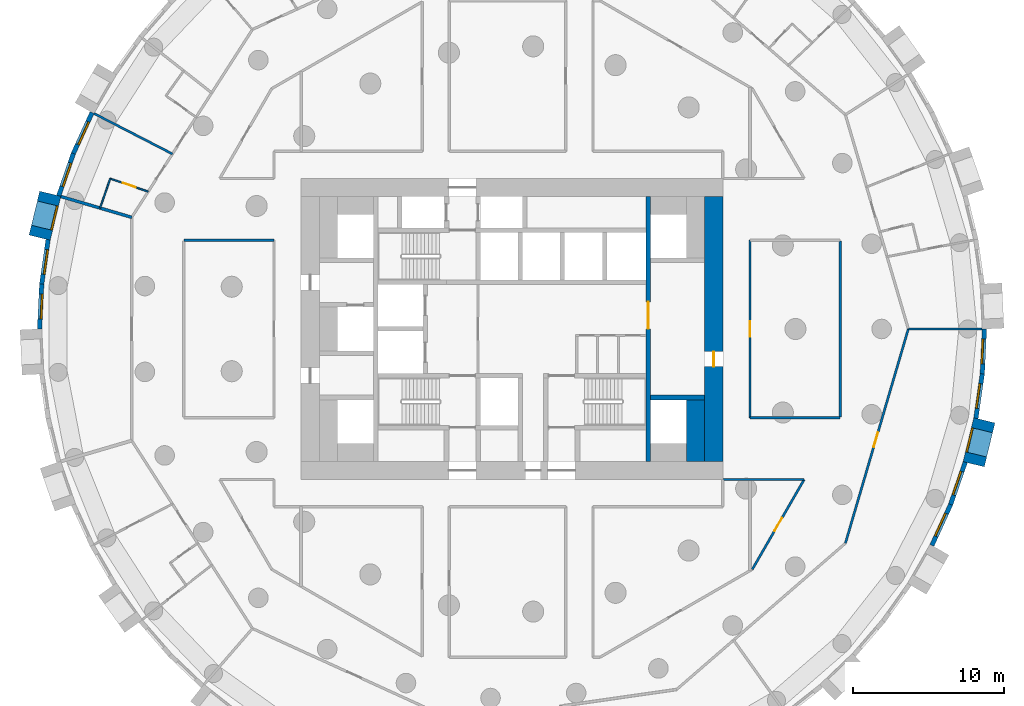
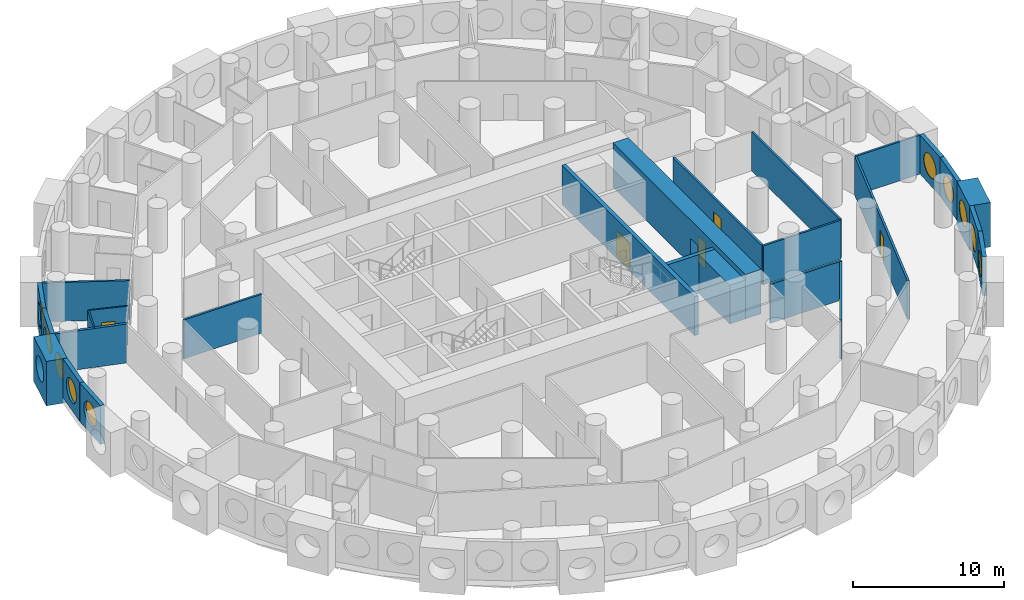
# One storey, part 6 of 12: 26 walls, 10 windows, 6 doors, 16 openings.
"""IFC4 building model written with IfcOpenShell, lengths in metres."""

from ifc_helpers import new_model, si_unit, direction, frame, frame_2d, origin, origin_2d, place, context, subcontext, project, spatial, rectangle, circle, extrude, material, layer, layer_set, type_object, element, fill, save


model = new_model("IFC4")

# Units and contexts
model_context = context("Model", 3, precision=1e-05, world=origin(), true_north=direction((0.0, 1.0)))
body_context = subcontext(model_context, "Body", "Model", "MODEL_VIEW")
ifc_project = project(units=[si_unit("LENGTHUNIT", "METRE"), si_unit("AREAUNIT", "SQUARE_METRE"), si_unit("VOLUMEUNIT", "CUBIC_METRE"), si_unit("PLANEANGLEUNIT", "RADIAN"), si_unit("MASSUNIT", "GRAM", prefix="KILO")], contexts=[model_context])

# Site, building, storey
site_placement = place(None, origin())
site = spatial("IfcSite", under=ifc_project, at=site_placement, CompositionType="ELEMENT")
building_placement = place(site_placement, origin())
building = spatial("IfcBuilding", under=site, at=building_placement, Name="Tracery Tower", CompositionType="ELEMENT")
storey_placement = place(building_placement, frame((0.0, 0.0, 89.39990234375)))
storey = spatial("IfcBuildingStorey", under=building, at=storey_placement, Name="L22", CompositionType="ELEMENT", Elevation=89.39990234375)

# Wall
ifc_material_1 = material(Name="Concrete C60/75", Category="concrete")
ifc_layer_1 = layer(ifc_material_1, 1.199951171875)
ifc_layer_set_1 = layer_set([ifc_layer_1], Name="Core strip wall 1200 C60")
wall_type_1 = type_object("IfcWallType", Name="Core strip wall 1200 C60", PredefinedType="SOLIDWALL", material=ifc_layer_set_1)
wall_1_placement = place(storey_placement, frame((12.199951171875, -8.800048828125, 0.0), z_axis=(0.0, 0.0, 1.0), x_axis=(0.0, 1.0, 0.0)))
element("IfcWall", 1, at=wall_1_placement, inside=storey, type_object=wall_type_1, Name="L22 wing strip +1 -9.4", PredefinedType="SOLIDWALL", context=body_context, shape_type="SweptSolid", body=[
    extrude(rectangle(XDim=4.10009765625, YDim=1.199951171875, at=frame_2d((2.050048828125, 0.0))), origin(), (0.0, 0.0, 1.0), 3.150146484375),
])

# Wall, opening, door
ifc_material_2 = material(Name="Concrete C60/75", Category="concrete")
ifc_layer_2 = layer(ifc_material_2, 1.199951171875)
ifc_layer_set_2 = layer_set([ifc_layer_2], Name="Core wall 1200 C60")
wall_type_2 = type_object("IfcWallType", Name="Core wall 1200 C60", PredefinedType="SOLIDWALL", material=ifc_layer_set_2)
wall_2_placement = place(storey_placement, frame((13.39990234375, -8.800048828125, 0.0), z_axis=(0.0, 0.0, 1.0), x_axis=(0.0, 1.0, 0.0)))
wall_2 = element("IfcWall", 2, at=wall_2_placement, inside=storey, type_object=wall_type_2, Name="L22 outer E", PredefinedType="SOLIDWALL", context=body_context, shape_type="SweptSolid", body=[
    extrude(rectangle(XDim=17.60009765625, YDim=1.199951171875, at=frame_2d((8.800048828125, 0.0))), origin(), (0.0, 0.0, 1.0), 3.60009765625),
])
opening_1_placement = place(wall_2_placement, frame((6.300048828125, 0.0, 0.0)))
opening_1 = element("IfcOpeningElement", 3, at=opening_1_placement, cuts=wall_2, Name="Opening KD18", PredefinedType="OPENING", context=body_context, shape_type="SweptSolid", body=[
    extrude(rectangle(XDim=1.0, YDim=2.10009765625, at=frame_2d((0.5, 1.050048828125))), frame((0.0, 0.60009765625, 0.0), z_axis=(0.0, -1.0, 0.0), x_axis=(1.0, 0.0, 0.0)), (0.0, 0.0, 1.0), 1.199951171875),
])
ifc_material_3 = material(Name="Steel fire door", Category="steel")
door_type_1 = type_object("IfcDoorType", Name="Core exit door 1000", OperationType="NOTDEFINED", PredefinedType="DOOR", material=ifc_material_3)
door_1_placement = place(opening_1_placement, origin())
door_1 = element("IfcDoor", 4, at=door_1_placement, inside=storey, type_object=door_type_1, Name="Core exit door", OperationType="DOUBLE_DOOR_SINGLE_SWING", OverallHeight=2.10009765625, OverallWidth=1.0, PredefinedType="DOOR", context=body_context, shape_type="SweptSolid", body=[
    extrude(rectangle(XDim=1.0, YDim=2.10009765625, at=frame_2d((0.5, 1.050048828125))), frame((0.0, 0.02490234375, 0.0), z_axis=(0.0, -1.0, 0.0), x_axis=(1.0, 0.0, 0.0)), (0.0, 0.0, 1.0), 0.050048828125),
])
fill(opening_1, door_1)

# Wall, opening, window
ifc_material_4 = material(Name="Precast concrete C50/60", Category="concrete")
ifc_layer_3 = layer(ifc_material_4, 1.449951171875)
ifc_layer_set_3 = layer_set([ifc_layer_3], Name="Deep-set bay unit 3000 x 3600, slab edge 450")
wall_type_3 = type_object("IfcWallType", Name="Deep-set bay unit 3000 x 3600, slab edge 450", PredefinedType="ELEMENTEDWALL", material=ifc_layer_set_3)
wall_3_placement = place(storey_placement, frame((-30.66064453125, 8.981689453125, -0.449951171875), z_axis=(0.0, 0.0, 1.0), x_axis=(-0.235751415068, -0.971813392732, 0.0)))
wall_3 = element("IfcWall", 5, at=wall_3_placement, inside=storey, type_object=wall_type_3, Name="Deep-set bay unit 31 at L22", PredefinedType="ELEMENTEDWALL", context=body_context, shape_type="SweptSolid", body=[
    extrude(rectangle(XDim=3.0, YDim=1.449951171875, at=frame_2d((1.5, 0.0))), origin(), (0.0, 0.0, 1.0), 3.60009765625),
])
opening_2_placement = place(wall_3_placement, frame((1.5, 0.0, 2.0)))
opening_2 = element("IfcOpeningElement", 6, at=opening_2_placement, cuts=wall_3, Name="Opening WN1", PredefinedType="OPENING", context=body_context, shape_type="SweptSolid", body=[
    extrude(circle(Radius=0.9000244140625, at=origin_2d()), frame((0.0, 0.73486328125, 0.0), z_axis=(0.0, -1.0, 0.0), x_axis=(1.0, 0.0, 0.0)), (0.0, 0.0, 1.0), 1.469970703125),
])
ifc_material_5 = material(Name="Aluminium frame with tinted double glazing", Category="aluminium")
window_type = type_object("IfcWindowType", Name="Round window 1800", PartitioningType="SINGLE_PANEL", PredefinedType="WINDOW", material=ifc_material_5)
window_1_placement = place(opening_2_placement, origin())
window_1 = element("IfcWindow", 7, at=window_1_placement, inside=storey, type_object=window_type, Name="Round window 31 at L22", OverallHeight=1.800048828125, OverallWidth=1.800048828125, PartitioningType="SINGLE_PANEL", PredefinedType="WINDOW", context=body_context, shape_type="SweptSolid", body=[
    extrude(circle(Radius=0.9000244140625, at=origin_2d()), frame((0.0, 0.69482421875, 0.0), z_axis=(0.0, -1.0, 0.0), x_axis=(1.0, 0.0, 0.0)), (0.0, 0.0, 1.0), 0.10009765625),
])
fill(opening_2, window_1)

wall_4_placement = place(storey_placement, frame((30.66064453125, -8.981689453125, -0.449951171875), z_axis=(0.0, 0.0, 1.0), x_axis=(0.235751415068, 0.971813392732, 0.0)))
wall_4 = element("IfcWall", 8, at=wall_4_placement, inside=storey, type_object=wall_type_3, Name="Deep-set bay unit 64 at L22", PredefinedType="ELEMENTEDWALL", context=body_context, shape_type="SweptSolid", body=[
    extrude(rectangle(XDim=3.0, YDim=1.449951171875, at=frame_2d((1.5, 0.0))), origin(), (0.0, 0.0, 1.0), 3.60009765625),
])
opening_3_placement = place(wall_4_placement, frame((1.5, 0.0, 2.0)))
opening_3 = element("IfcOpeningElement", 9, at=opening_3_placement, cuts=wall_4, Name="Opening WN1", PredefinedType="OPENING", context=body_context, shape_type="SweptSolid", body=[
    extrude(circle(Radius=0.9000244140625, at=origin_2d()), frame((0.0, 0.73486328125, 0.0), z_axis=(0.0, -1.0, 0.0), x_axis=(1.0, 0.0, 0.0)), (0.0, 0.0, 1.0), 1.469970703125),
])
window_2_placement = place(opening_3_placement, origin())
window_2 = element("IfcWindow", 10, at=window_2_placement, inside=storey, type_object=window_type, Name="Round window 64 at L22", OverallHeight=1.800048828125, OverallWidth=1.800048828125, PartitioningType="SINGLE_PANEL", PredefinedType="WINDOW", context=body_context, shape_type="SweptSolid", body=[
    extrude(circle(Radius=0.9000244140625, at=origin_2d()), frame((0.0, 0.69482421875, 0.0), z_axis=(0.0, -1.0, 0.0), x_axis=(1.0, 0.0, 0.0)), (0.0, 0.0, 1.0), 0.10009765625),
])
fill(opening_3, window_2)

ifc_material_6 = material(Name="Precast concrete C50/60", Category="concrete")
ifc_layer_4 = layer(ifc_material_6, 0.300048828125)
ifc_layer_set_4 = layer_set([ifc_layer_4], Name="Facade panel 3000 x 3150")
wall_type_4 = type_object("IfcWallType", Name="Facade panel 3000 x 3150", PredefinedType="SOLIDWALL", material=ifc_layer_set_4)
wall_5_placement = place(storey_placement, frame((-27.88916015625, 14.37109375, 0.0), z_axis=(0.0, 0.0, 1.0), x_axis=(-0.415407317162, -0.909635509888, 0.0)))
wall_5 = element("IfcWall", 11, at=wall_5_placement, inside=storey, type_object=wall_type_4, Name="Facade panel 29 at L22", PredefinedType="SOLIDWALL", context=body_context, shape_type="SweptSolid", body=[
    extrude(rectangle(XDim=2.979736328125, YDim=0.300048828125, at=frame_2d((1.48974609375, 0.0))), origin(), (0.0, 0.0, 1.0), 3.150146484375),
])
opening_4_placement = place(wall_5_placement, frame((1.48974609375, 0.0, 1.5498046875)))
opening_4 = element("IfcOpeningElement", 12, at=opening_4_placement, cuts=wall_5, Name="Opening WN1", PredefinedType="OPENING", context=body_context, shape_type="SweptSolid", body=[
    extrude(circle(Radius=0.9000244140625, at=origin_2d()), frame((0.0, 0.159912109375, 0.0), z_axis=(0.0, -1.0, 0.0), x_axis=(1.0, 0.0, 0.0)), (0.0, 0.0, 1.0), 0.320068359375),
])
window_3_placement = place(opening_4_placement, origin())
window_3 = element("IfcWindow", 13, at=window_3_placement, inside=storey, type_object=window_type, Name="Round window 29 at L22", OverallHeight=1.800048828125, OverallWidth=1.800048828125, PartitioningType="SINGLE_PANEL", PredefinedType="WINDOW", context=body_context, shape_type="SweptSolid", body=[
    extrude(circle(Radius=0.9000244140625, at=origin_2d()), frame((0.0, 0.1201171875, 0.0), z_axis=(0.0, -1.0, 0.0), x_axis=(1.0, 0.0, 0.0)), (0.0, 0.0, 1.0), 0.10009765625),
])
fill(opening_4, window_3)

wall_6_placement = place(storey_placement, frame((-29.126953125, 11.66064453125, 0.0), z_axis=(0.0, 0.0, 1.0), x_axis=(-0.327096492592, -0.944990944154, 0.0)))
wall_6 = element("IfcWall", 14, at=wall_6_placement, inside=storey, type_object=wall_type_4, Name="Facade panel 30 at L22", PredefinedType="SOLIDWALL", context=body_context, shape_type="SweptSolid", body=[
    extrude(rectangle(XDim=2.9794921875, YDim=0.300048828125, at=frame_2d((1.48974609375, 0.0))), origin(), (0.0, 0.0, 1.0), 3.150146484375),
])
opening_5_placement = place(wall_6_placement, frame((1.48974609375, 0.0, 1.5498046875)))
opening_5 = element("IfcOpeningElement", 15, at=opening_5_placement, cuts=wall_6, Name="Opening WN1", PredefinedType="OPENING", context=body_context, shape_type="SweptSolid", body=[
    extrude(circle(Radius=0.9000244140625, at=origin_2d()), frame((0.0, 0.159912109375, 0.0), z_axis=(0.0, -1.0, 0.0), x_axis=(1.0, 0.0, 0.0)), (0.0, 0.0, 1.0), 0.320068359375),
])
window_4_placement = place(opening_5_placement, origin())
window_4 = element("IfcWindow", 16, at=window_4_placement, inside=storey, type_object=window_type, Name="Round window 30 at L22", OverallHeight=1.800048828125, OverallWidth=1.800048828125, PartitioningType="SINGLE_PANEL", PredefinedType="WINDOW", context=body_context, shape_type="SweptSolid", body=[
    extrude(circle(Radius=0.9000244140625, at=origin_2d()), frame((0.0, 0.1201171875, 0.0), z_axis=(0.0, -1.0, 0.0), x_axis=(1.0, 0.0, 0.0)), (0.0, 0.0, 1.0), 0.10009765625),
])
fill(opening_5, window_4)

wall_7_placement = place(storey_placement, frame((-30.808349609375, 5.931640625, 0.0), z_axis=(0.0, 0.0, 1.0), x_axis=(-0.142327539111, -0.989819615693, 0.0)))
wall_7 = element("IfcWall", 17, at=wall_7_placement, inside=storey, type_object=wall_type_4, Name="Facade panel 32 at L22", PredefinedType="SOLIDWALL", context=body_context, shape_type="SweptSolid", body=[
    extrude(rectangle(XDim=2.9794921875, YDim=0.300048828125, at=frame_2d((1.48974609375, 0.0))), origin(), (0.0, 0.0, 1.0), 3.150146484375),
])
opening_6_placement = place(wall_7_placement, frame((1.48974609375, 0.0, 1.5498046875)))
opening_6 = element("IfcOpeningElement", 18, at=opening_6_placement, cuts=wall_7, Name="Opening WN1", PredefinedType="OPENING", context=body_context, shape_type="SweptSolid", body=[
    extrude(circle(Radius=0.9000244140625, at=origin_2d()), frame((0.0, 0.159912109375, 0.0), z_axis=(0.0, -1.0, 0.0), x_axis=(1.0, 0.0, 0.0)), (0.0, 0.0, 1.0), 0.320068359375),
])
window_5_placement = place(opening_6_placement, origin())
window_5 = element("IfcWindow", 19, at=window_5_placement, inside=storey, type_object=window_type, Name="Round window 32 at L22", OverallHeight=1.800048828125, OverallWidth=1.800048828125, PartitioningType="SINGLE_PANEL", PredefinedType="WINDOW", context=body_context, shape_type="SweptSolid", body=[
    extrude(circle(Radius=0.9000244140625, at=origin_2d()), frame((0.0, 0.1201171875, 0.0), z_axis=(0.0, -1.0, 0.0), x_axis=(1.0, 0.0, 0.0)), (0.0, 0.0, 1.0), 0.10009765625),
])
fill(opening_6, window_5)

wall_8_placement = place(storey_placement, frame((-31.232421875, 2.982421875, 0.0), z_axis=(0.0, 0.0, 1.0), x_axis=(-0.047522328113, -0.998870175914, 0.0)))
wall_8 = element("IfcWall", 20, at=wall_8_placement, inside=storey, type_object=wall_type_4, Name="Facade panel 33 at L22", PredefinedType="SOLIDWALL", context=body_context, shape_type="SweptSolid", body=[
    extrude(rectangle(XDim=2.979736328125, YDim=0.300048828125, at=frame_2d((1.48974609375, 0.0))), origin(), (0.0, 0.0, 1.0), 3.150146484375),
])
opening_7_placement = place(wall_8_placement, frame((1.48974609375, 0.0, 1.5498046875)))
opening_7 = element("IfcOpeningElement", 21, at=opening_7_placement, cuts=wall_8, Name="Opening WN1", PredefinedType="OPENING", context=body_context, shape_type="SweptSolid", body=[
    extrude(circle(Radius=0.9000244140625, at=origin_2d()), frame((0.0, 0.159912109375, 0.0), z_axis=(0.0, -1.0, 0.0), x_axis=(1.0, 0.0, 0.0)), (0.0, 0.0, 1.0), 0.320068359375),
])
window_6_placement = place(opening_7_placement, origin())
window_6 = element("IfcWindow", 22, at=window_6_placement, inside=storey, type_object=window_type, Name="Round window 33 at L22", OverallHeight=1.800048828125, OverallWidth=1.800048828125, PartitioningType="SINGLE_PANEL", PredefinedType="WINDOW", context=body_context, shape_type="SweptSolid", body=[
    extrude(circle(Radius=0.9000244140625, at=origin_2d()), frame((0.0, 0.1201171875, 0.0), z_axis=(0.0, -1.0, 0.0), x_axis=(1.0, 0.0, 0.0)), (0.0, 0.0, 1.0), 0.10009765625),
])
fill(opening_7, window_6)

wall_9_placement = place(storey_placement, frame((27.88916015625, -14.37109375, 0.0), z_axis=(0.0, 0.0, 1.0), x_axis=(0.415407317162, 0.909635509888, 0.0)))
wall_9 = element("IfcWall", 23, at=wall_9_placement, inside=storey, type_object=wall_type_4, Name="Facade panel 62 at L22", PredefinedType="SOLIDWALL", context=body_context, shape_type="SweptSolid", body=[
    extrude(rectangle(XDim=2.979736328125, YDim=0.300048828125, at=frame_2d((1.48974609375, 0.0))), origin(), (0.0, 0.0, 1.0), 3.150146484375),
])
opening_8_placement = place(wall_9_placement, frame((1.48974609375, 0.0, 1.5498046875)))
opening_8 = element("IfcOpeningElement", 24, at=opening_8_placement, cuts=wall_9, Name="Opening WN1", PredefinedType="OPENING", context=body_context, shape_type="SweptSolid", body=[
    extrude(circle(Radius=0.9000244140625, at=origin_2d()), frame((0.0, 0.159912109375, 0.0), z_axis=(0.0, -1.0, 0.0), x_axis=(1.0, 0.0, 0.0)), (0.0, 0.0, 1.0), 0.320068359375),
])
window_7_placement = place(opening_8_placement, origin())
window_7 = element("IfcWindow", 25, at=window_7_placement, inside=storey, type_object=window_type, Name="Round window 62 at L22", OverallHeight=1.800048828125, OverallWidth=1.800048828125, PartitioningType="SINGLE_PANEL", PredefinedType="WINDOW", context=body_context, shape_type="SweptSolid", body=[
    extrude(circle(Radius=0.9000244140625, at=origin_2d()), frame((0.0, 0.1201171875, 0.0), z_axis=(0.0, -1.0, 0.0), x_axis=(1.0, 0.0, 0.0)), (0.0, 0.0, 1.0), 0.10009765625),
])
fill(opening_8, window_7)

wall_10_placement = place(storey_placement, frame((29.126953125, -11.66064453125, 0.0), z_axis=(0.0, 0.0, 1.0), x_axis=(0.327096492592, 0.944990944154, 0.0)))
wall_10 = element("IfcWall", 26, at=wall_10_placement, inside=storey, type_object=wall_type_4, Name="Facade panel 63 at L22", PredefinedType="SOLIDWALL", context=body_context, shape_type="SweptSolid", body=[
    extrude(rectangle(XDim=2.9794921875, YDim=0.300048828125, at=frame_2d((1.48974609375, 0.0))), origin(), (0.0, 0.0, 1.0), 3.150146484375),
])
opening_9_placement = place(wall_10_placement, frame((1.48974609375, 0.0, 1.5498046875)))
opening_9 = element("IfcOpeningElement", 27, at=opening_9_placement, cuts=wall_10, Name="Opening WN1", PredefinedType="OPENING", context=body_context, shape_type="SweptSolid", body=[
    extrude(circle(Radius=0.9000244140625, at=origin_2d()), frame((0.0, 0.159912109375, 0.0), z_axis=(0.0, -1.0, 0.0), x_axis=(1.0, 0.0, 0.0)), (0.0, 0.0, 1.0), 0.320068359375),
])
window_8_placement = place(opening_9_placement, origin())
window_8 = element("IfcWindow", 28, at=window_8_placement, inside=storey, type_object=window_type, Name="Round window 63 at L22", OverallHeight=1.800048828125, OverallWidth=1.800048828125, PartitioningType="SINGLE_PANEL", PredefinedType="WINDOW", context=body_context, shape_type="SweptSolid", body=[
    extrude(circle(Radius=0.9000244140625, at=origin_2d()), frame((0.0, 0.1201171875, 0.0), z_axis=(0.0, -1.0, 0.0), x_axis=(1.0, 0.0, 0.0)), (0.0, 0.0, 1.0), 0.10009765625),
])
fill(opening_9, window_8)

wall_11_placement = place(storey_placement, frame((30.808349609375, -5.931640625, 0.0), z_axis=(0.0, 0.0, 1.0), x_axis=(0.142327539111, 0.989819615693, 0.0)))
wall_11 = element("IfcWall", 29, at=wall_11_placement, inside=storey, type_object=wall_type_4, Name="Facade panel 65 at L22", PredefinedType="SOLIDWALL", context=body_context, shape_type="SweptSolid", body=[
    extrude(rectangle(XDim=2.9794921875, YDim=0.300048828125, at=frame_2d((1.48974609375, 0.0))), origin(), (0.0, 0.0, 1.0), 3.150146484375),
])
opening_10_placement = place(wall_11_placement, frame((1.48974609375, 0.0, 1.5498046875)))
opening_10 = element("IfcOpeningElement", 30, at=opening_10_placement, cuts=wall_11, Name="Opening WN1", PredefinedType="OPENING", context=body_context, shape_type="SweptSolid", body=[
    extrude(circle(Radius=0.9000244140625, at=origin_2d()), frame((0.0, 0.159912109375, 0.0), z_axis=(0.0, -1.0, 0.0), x_axis=(1.0, 0.0, 0.0)), (0.0, 0.0, 1.0), 0.320068359375),
])
window_9_placement = place(opening_10_placement, origin())
window_9 = element("IfcWindow", 31, at=window_9_placement, inside=storey, type_object=window_type, Name="Round window 65 at L22", OverallHeight=1.800048828125, OverallWidth=1.800048828125, PartitioningType="SINGLE_PANEL", PredefinedType="WINDOW", context=body_context, shape_type="SweptSolid", body=[
    extrude(circle(Radius=0.9000244140625, at=origin_2d()), frame((0.0, 0.1201171875, 0.0), z_axis=(0.0, -1.0, 0.0), x_axis=(1.0, 0.0, 0.0)), (0.0, 0.0, 1.0), 0.10009765625),
])
fill(opening_10, window_9)

wall_12_placement = place(storey_placement, frame((31.232421875, -2.982421875, 0.0), z_axis=(0.0, 0.0, 1.0), x_axis=(0.047522328113, 0.998870175914, 0.0)))
wall_12 = element("IfcWall", 32, at=wall_12_placement, inside=storey, type_object=wall_type_4, Name="Facade panel 66 at L22", PredefinedType="SOLIDWALL", context=body_context, shape_type="SweptSolid", body=[
    extrude(rectangle(XDim=2.979736328125, YDim=0.300048828125, at=frame_2d((1.48974609375, 0.0))), origin(), (0.0, 0.0, 1.0), 3.150146484375),
])
opening_11_placement = place(wall_12_placement, frame((1.48974609375, 0.0, 1.5498046875)))
opening_11 = element("IfcOpeningElement", 33, at=opening_11_placement, cuts=wall_12, Name="Opening WN1", PredefinedType="OPENING", context=body_context, shape_type="SweptSolid", body=[
    extrude(circle(Radius=0.9000244140625, at=origin_2d()), frame((0.0, 0.159912109375, 0.0), z_axis=(0.0, -1.0, 0.0), x_axis=(1.0, 0.0, 0.0)), (0.0, 0.0, 1.0), 0.320068359375),
])
window_10_placement = place(opening_11_placement, origin())
window_10 = element("IfcWindow", 34, at=window_10_placement, inside=storey, type_object=window_type, Name="Round window 66 at L22", OverallHeight=1.800048828125, OverallWidth=1.800048828125, PartitioningType="SINGLE_PANEL", PredefinedType="WINDOW", context=body_context, shape_type="SweptSolid", body=[
    extrude(circle(Radius=0.9000244140625, at=origin_2d()), frame((0.0, 0.1201171875, 0.0), z_axis=(0.0, -1.0, 0.0), x_axis=(1.0, 0.0, 0.0)), (0.0, 0.0, 1.0), 0.10009765625),
])
fill(opening_11, window_10)

# Wall, opening, door
ifc_material_7 = material(Name="Plasterboard on steel studs", Category="steel")
ifc_layer_5 = layer(ifc_material_7, 0.10009765625)
ifc_layer_set_5 = layer_set([ifc_layer_5], Name="Partition 100 wet wall")
wall_type_5 = type_object("IfcWallType", Name="Partition 100 wet wall", PredefinedType="PARTITIONING", material=ifc_layer_set_5)
wall_13_placement = place(storey_placement, frame((-26.678955078125, 9.989013671875, 0.0), z_axis=(0.0, 0.0, 1.0), x_axis=(0.945014370431, -0.327028805578, 0.0)))
wall_13 = element("IfcWall", 35, at=wall_13_placement, inside=storey, type_object=wall_type_5, Name="Wet wall RA6-088", PredefinedType="PARTITIONING", context=body_context, shape_type="SweptSolid", body=[
    extrude(rectangle(XDim=2.666748046875, YDim=0.10009765625, at=frame_2d((1.33349609375, 0.0))), origin(), (0.0, 0.0, 1.0), 3.150146484375),
])
opening_12_placement = place(wall_13_placement, frame((0.883544921875, 0.0, 0.0)))
opening_12 = element("IfcOpeningElement", 36, at=opening_12_placement, cuts=wall_13, Name="Opening RA6-33", PredefinedType="OPENING", context=body_context, shape_type="SweptSolid", body=[
    extrude(rectangle(XDim=0.89990234375, YDim=2.0400390625, at=frame_2d((0.449951171875, 1.02001953125))), frame((0.0, 0.050048828125, 0.0), z_axis=(0.0, -1.0, 0.0), x_axis=(1.0, 0.0, 0.0)), (0.0, 0.0, 1.0), 0.10009765625),
])
ifc_material_8 = material(Name="Timber door leaf", Category="wood")
door_type_2 = type_object("IfcDoorType", Name="Door en-suite 900", OperationType="NOTDEFINED", PredefinedType="DOOR", material=ifc_material_8)
door_2_placement = place(opening_12_placement, origin())
door_2 = element("IfcDoor", 37, at=door_2_placement, inside=storey, type_object=door_type_2, Name="En-suite door RA6-33", OperationType="SINGLE_SWING_LEFT", OverallHeight=2.0400390625, OverallWidth=0.89990234375, PredefinedType="DOOR", context=body_context, shape_type="SweptSolid", body=[
    extrude(rectangle(XDim=0.89990234375, YDim=2.0400390625, at=frame_2d((0.449951171875, 1.02001953125))), frame((0.0, 0.02490234375, 0.0), z_axis=(0.0, -1.0, 0.0), x_axis=(1.0, 0.0, 0.0)), (0.0, 0.0, 1.0), 0.050048828125),
])
fill(opening_12, door_2)

# Walls
wall_14_placement = place(storey_placement, frame((-27.35595703125, 8.031982421875, 0.0), z_axis=(0.0, 0.0, 1.0), x_axis=(0.326924291943, 0.945050531632, 0.0)))
element("IfcWall", 38, at=wall_14_placement, inside=storey, type_object=wall_type_5, Name="Wet wall RA6-089", PredefinedType="PARTITIONING", context=body_context, shape_type="SweptSolid", body=[
    extrude(rectangle(XDim=2.07080078125, YDim=0.10009765625, at=frame_2d((1.035400390625, 0.0))), origin(), (0.0, 0.0, 1.0), 3.150146484375),
])
ifc_material_9 = material(Name="Plasterboard on steel studs", Category="steel")
ifc_layer_6 = layer(ifc_material_9, 0.14990234375)
ifc_layer_set_6 = layer_set([ifc_layer_6], Name="Partition 150 acoustic unit wall")
wall_type_6 = type_object("IfcWallType", Name="Partition 150 acoustic unit wall", PredefinedType="PARTITIONING", material=ifc_layer_set_6)
wall_15_placement = place(storey_placement, frame((26.319091796875, 0.0, 0.0), z_axis=(0.0, 0.0, 1.0), x_axis=(1.0, 0.0, 0.0)))
element("IfcWall", 39, at=wall_15_placement, inside=storey, type_object=wall_type_6, Name="Unit wall RA6-063", PredefinedType="PARTITIONING", context=body_context, shape_type="SweptSolid", body=[
    extrude(rectangle(XDim=4.905029296875, YDim=0.14990234375, at=frame_2d((2.45263671875, 0.0))), origin(), (0.0, 0.0, 1.0), 3.150146484375),
])
wall_16_placement = place(storey_placement, frame((-27.7529296875, 14.30810546875, 0.0), z_axis=(0.0, 0.0, 1.0), x_axis=(0.88877955153, -0.45833493079, 0.0)))
element("IfcWall", 40, at=wall_16_placement, inside=storey, type_object=wall_type_6, Name="Unit wall RA6-087", PredefinedType="PARTITIONING", context=body_context, shape_type="SweptSolid", body=[
    extrude(rectangle(XDim=5.856201171875, YDim=0.14990234375, at=frame_2d((2.92822265625, 0.0))), origin(), (0.0, 0.0, 1.0), 3.150146484375),
])
ifc_material_10 = material(Name="Plasterboard on steel studs", Category="steel")
ifc_layer_7 = layer(ifc_material_10, 0.14990234375)
ifc_layer_set_7 = layer_set([ifc_layer_7], Name="Partition 150 corridor wall")
wall_type_7 = type_object("IfcWallType", Name="Partition 150 corridor wall", PredefinedType="PARTITIONING", material=ifc_layer_set_7)
wall_17_placement = place(storey_placement, frame((14.0, -10.0, 0.0), z_axis=(0.0, 0.0, 1.0), x_axis=(1.0, 0.0, 0.0)))
element("IfcWall", 41, at=wall_17_placement, inside=storey, type_object=wall_type_7, Name="Corridor wall RA6-012", PredefinedType="PARTITIONING", context=body_context, shape_type="SweptSolid", body=[
    extrude(rectangle(XDim=5.40087890625, YDim=0.14990234375, at=frame_2d((2.700439453125, 0.0))), origin(), (0.0, 0.0, 1.0), 3.150146484375),
])

# Wall, opening, door
wall_18_placement = place(storey_placement, frame((15.800048828125, -5.904052734375, 0.0), z_axis=(0.0, 0.0, 1.0), x_axis=(0.0, 1.0, 0.0)))
wall_18 = element("IfcWall", 42, at=wall_18_placement, inside=storey, type_object=wall_type_7, Name="Corridor wall RA6-013", PredefinedType="PARTITIONING", context=body_context, shape_type="SweptSolid", body=[
    extrude(rectangle(XDim=11.80810546875, YDim=0.14990234375, at=frame_2d((5.904052734375, 0.0))), origin(), (0.0, 0.0, 1.0), 3.150146484375),
])
opening_13_placement = place(wall_18_placement, frame((5.404052734375, 0.0, 0.0)))
opening_13 = element("IfcOpeningElement", 43, at=opening_13_placement, cuts=wall_18, Name="Opening RA6-07", PredefinedType="OPENING", context=body_context, shape_type="SweptSolid", body=[
    extrude(rectangle(XDim=1.0, YDim=2.0400390625, at=frame_2d((0.5, 1.02001953125))), frame((0.0, 0.074951171875, 0.0), z_axis=(0.0, -1.0, 0.0), x_axis=(1.0, 0.0, 0.0)), (0.0, 0.0, 1.0), 0.14990234375),
])
ifc_material_11 = material(Name="Timber door leaf", Category="wood")
door_type_3 = type_object("IfcDoorType", Name="Door communal room 1000", OperationType="NOTDEFINED", PredefinedType="DOOR", material=ifc_material_11)
door_3_placement = place(opening_13_placement, origin())
door_3 = element("IfcDoor", 44, at=door_3_placement, inside=storey, type_object=door_type_3, Name="Communal room door RA6-07", OperationType="SINGLE_SWING_RIGHT", OverallHeight=2.0400390625, OverallWidth=1.0, PredefinedType="DOOR", context=body_context, shape_type="SweptSolid", body=[
    extrude(rectangle(XDim=1.0, YDim=2.0400390625, at=frame_2d((0.5, 1.02001953125))), frame((0.0, 0.02490234375, 0.0), z_axis=(0.0, -1.0, 0.0), x_axis=(1.0, 0.0, 0.0)), (0.0, 0.0, 1.0), 0.050048828125),
])
fill(opening_13, door_3)

# Walls
wall_19_placement = place(storey_placement, frame((15.800048828125, -5.89990234375, 0.0), z_axis=(0.0, 0.0, 1.0), x_axis=(1.0, 0.0, 0.0)))
element("IfcWall", 45, at=wall_19_placement, inside=storey, type_object=wall_type_7, Name="Corridor wall RA6-015", PredefinedType="PARTITIONING", context=body_context, shape_type="SweptSolid", body=[
    extrude(rectangle(XDim=5.968017578125, YDim=0.14990234375, at=frame_2d((2.98388671875, 0.0))), origin(), (0.0, 0.0, 1.0), 3.150146484375),
])
wall_20_placement = place(storey_placement, frame((21.802001953125, -5.842041015625, 0.0), z_axis=(0.0, 0.0, 1.0), x_axis=(0.0, 1.0, 0.0)))
element("IfcWall", 46, at=wall_20_placement, inside=storey, type_object=wall_type_7, Name="Corridor wall RA6-016", PredefinedType="PARTITIONING", context=body_context, shape_type="SweptSolid", body=[
    extrude(rectangle(XDim=11.68408203125, YDim=0.14990234375, at=frame_2d((5.842041015625, 0.0))), origin(), (0.0, 0.0, 1.0), 3.150146484375),
])

# Wall, opening, door
wall_21_placement = place(storey_placement, frame((15.9599609375, -15.9599609375, 0.0), z_axis=(0.0, 0.0, 1.0), x_axis=(0.499992689227, 0.86602962462, 0.0)))
wall_21 = element("IfcWall", 47, at=wall_21_placement, inside=storey, type_object=wall_type_7, Name="Corridor wall RA6-019", PredefinedType="PARTITIONING", context=body_context, shape_type="SweptSolid", body=[
    extrude(rectangle(XDim=6.8818359375, YDim=0.14990234375, at=frame_2d((3.44091796875, 0.0))), origin(), (0.0, 0.0, 1.0), 3.150146484375),
])
opening_14_placement = place(wall_21_placement, frame((2.94091796875, 0.0, 0.0)))
opening_14 = element("IfcOpeningElement", 48, at=opening_14_placement, cuts=wall_21, Name="Opening RA6-12", PredefinedType="OPENING", context=body_context, shape_type="SweptSolid", body=[
    extrude(rectangle(XDim=1.0, YDim=2.0400390625, at=frame_2d((0.5, 1.02001953125))), frame((0.0, 0.074951171875, 0.0), z_axis=(0.0, -1.0, 0.0), x_axis=(1.0, 0.0, 0.0)), (0.0, 0.0, 1.0), 0.14990234375),
])
door_4_placement = place(opening_14_placement, origin())
door_4 = element("IfcDoor", 49, at=door_4_placement, inside=storey, type_object=door_type_3, Name="Communal room door RA6-12", OperationType="SINGLE_SWING_LEFT", OverallHeight=2.0400390625, OverallWidth=1.0, PredefinedType="DOOR", context=body_context, shape_type="SweptSolid", body=[
    extrude(rectangle(XDim=1.0, YDim=2.0400390625, at=frame_2d((0.5, 1.02001953125))), frame((0.0, 0.02490234375, 0.0), z_axis=(0.0, -1.0, 0.0), x_axis=(1.0, 0.0, 0.0)), (0.0, 0.0, 1.0), 0.050048828125),
])
fill(opening_14, door_4)

wall_22_placement = place(storey_placement, frame((22.14111328125, -14.22900390625, 0.0), z_axis=(0.0, 0.0, 1.0), x_axis=(0.281730446162, 0.959493593363, 0.0)))
wall_22 = element("IfcWall", 50, at=wall_22_placement, inside=storey, type_object=wall_type_7, Name="Corridor wall RA6-022", PredefinedType="PARTITIONING", context=body_context, shape_type="SweptSolid", body=[
    extrude(rectangle(XDim=14.82958984375, YDim=0.14990234375, at=frame_2d((7.414794921875, 0.0))), origin(), (0.0, 0.0, 1.0), 3.150146484375),
])
opening_15_placement = place(wall_22_placement, frame((6.664794921875, 0.0, 0.0)))
opening_15 = element("IfcOpeningElement", 51, at=opening_15_placement, cuts=wall_22, Name="Opening RA6-42", PredefinedType="OPENING", context=body_context, shape_type="SweptSolid", body=[
    extrude(rectangle(XDim=1.0, YDim=2.0400390625, at=frame_2d((0.5, 1.02001953125))), frame((0.0, 0.074951171875, 0.0), z_axis=(0.0, -1.0, 0.0), x_axis=(1.0, 0.0, 0.0)), (0.0, 0.0, 1.0), 0.14990234375),
])
door_5_placement = place(opening_15_placement, origin())
door_5 = element("IfcDoor", 52, at=door_5_placement, inside=storey, type_object=door_type_3, Name="Communal room door RA6-42", OperationType="SINGLE_SWING_RIGHT", OverallHeight=2.0400390625, OverallWidth=1.0, PredefinedType="DOOR", context=body_context, shape_type="SweptSolid", body=[
    extrude(rectangle(XDim=1.0, YDim=2.0400390625, at=frame_2d((0.5, 1.02001953125))), frame((0.0, 0.02490234375, 0.0), z_axis=(0.0, -1.0, 0.0), x_axis=(1.0, 0.0, 0.0)), (0.0, 0.0, 1.0), 0.050048828125),
])
fill(opening_15, door_5)

# Walls
wall_23_placement = place(storey_placement, frame((-21.76806640625, 5.89990234375, 0.0), z_axis=(0.0, 0.0, 1.0), x_axis=(1.0, 0.0, 0.0)))
element("IfcWall", 53, at=wall_23_placement, inside=storey, type_object=wall_type_7, Name="Corridor wall RA6-035", PredefinedType="PARTITIONING", context=body_context, shape_type="SweptSolid", body=[
    extrude(rectangle(XDim=5.968017578125, YDim=0.14990234375, at=frame_2d((2.98388671875, 0.0))), origin(), (0.0, 0.0, 1.0), 3.150146484375),
])
ifc_material_12 = material(Name="Plasterboard on steel studs", Category="steel")
ifc_layer_8 = layer(ifc_material_12, 0.199951171875)
ifc_layer_set_8 = layer_set([ifc_layer_8], Name="Partition 200 compartment wall")
wall_type_8 = type_object("IfcWallType", Name="Partition 200 compartment wall", PredefinedType="PARTITIONING", material=ifc_layer_set_8)
wall_24_placement = place(storey_placement, frame((-29.958984375, 8.797119140625, 0.0), z_axis=(0.0, 0.0, 1.0), x_axis=(0.95941700717, -0.281991145876, 0.0)))
element("IfcWall", 54, at=wall_24_placement, inside=storey, type_object=wall_type_8, Name="Compartment wall RA6-090", PredefinedType="PARTITIONING", context=body_context, shape_type="SweptSolid", body=[
    extrude(rectangle(XDim=4.904541015625, YDim=0.199951171875, at=frame_2d((2.4521484375, 0.0))), origin(), (0.0, 0.0, 1.0), 3.150146484375),
])
ifc_material_13 = material(Name="Concrete C60/75", Category="concrete")
ifc_layer_9 = layer(ifc_material_13, 0.300048828125)
ifc_layer_set_9 = layer_set([ifc_layer_9], Name="Shaft wall 300 C60")
wall_type_9 = type_object("IfcWallType", Name="Shaft wall 300 C60", PredefinedType="SOLIDWALL", material=ifc_layer_set_9)
wall_25_placement = place(storey_placement, frame((9.199951171875, -4.550048828125, 0.0), z_axis=(0.0, 0.0, 1.0), x_axis=(1.0, 0.0, 0.0)))
element("IfcWall", 55, at=wall_25_placement, inside=storey, type_object=wall_type_9, Name="L22 wing shaft wall +1 -4.55", PredefinedType="SOLIDWALL", context=body_context, shape_type="SweptSolid", body=[
    extrude(rectangle(XDim=3.60009765625, YDim=0.300048828125, at=frame_2d((1.800048828125, 0.0))), origin(), (0.0, 0.0, 1.0), 3.150146484375),
])

# Wall, opening, door
ifc_material_14 = material(Name="Concrete C60/75", Category="concrete")
ifc_layer_10 = layer(ifc_material_14, 0.300048828125)
ifc_layer_set_10 = layer_set([ifc_layer_10], Name="Stair wall 300 C60")
wall_type_10 = type_object("IfcWallType", Name="Stair wall 300 C60", PredefinedType="SOLIDWALL", material=ifc_layer_set_10)
wall_26_placement = place(storey_placement, frame((9.050048828125, -8.800048828125, 0.0), z_axis=(0.0, 0.0, 1.0), x_axis=(0.0, 1.0, 0.0)))
wall_26 = element("IfcWall", 56, at=wall_26_placement, inside=storey, type_object=wall_type_10, Name="L22 F wall +9", PredefinedType="SOLIDWALL", context=body_context, shape_type="SweptSolid", body=[
    extrude(rectangle(XDim=17.60009765625, YDim=0.300048828125, at=frame_2d((8.800048828125, 0.0))), origin(), (0.0, 0.0, 1.0), 3.150146484375),
])
opening_16_placement = place(wall_26_placement, frame((8.800048828125, 0.0, 0.0)))
opening_16 = element("IfcOpeningElement", 57, at=opening_16_placement, cuts=wall_26, Name="Opening KD13", PredefinedType="OPENING", context=body_context, shape_type="SweptSolid", body=[
    extrude(rectangle(XDim=1.800048828125, YDim=2.10009765625, at=frame_2d((0.89990234375, 1.050048828125))), frame((0.0, 0.14990234375, 0.0), z_axis=(0.0, -1.0, 0.0), x_axis=(1.0, 0.0, 0.0)), (0.0, 0.0, 1.0), 0.300048828125),
])
ifc_material_15 = material(Name="Steel fire door", Category="steel")
door_type_4 = type_object("IfcDoorType", Name="Core exit door 1800 double", OperationType="NOTDEFINED", PredefinedType="DOOR", material=ifc_material_15)
door_6_placement = place(opening_16_placement, origin())
door_6 = element("IfcDoor", 58, at=door_6_placement, inside=storey, type_object=door_type_4, Name="Core exit door", OperationType="DOUBLE_DOOR_SINGLE_SWING", OverallHeight=2.10009765625, OverallWidth=1.800048828125, PredefinedType="DOOR", context=body_context, shape_type="SweptSolid", body=[
    extrude(rectangle(XDim=1.800048828125, YDim=2.10009765625, at=frame_2d((0.89990234375, 1.050048828125))), frame((0.0, 0.02490234375, 0.0), z_axis=(0.0, -1.0, 0.0), x_axis=(1.0, 0.0, 0.0)), (0.0, 0.0, 1.0), 0.050048828125),
])
fill(opening_16, door_6)

save(model, "model.ifc")
